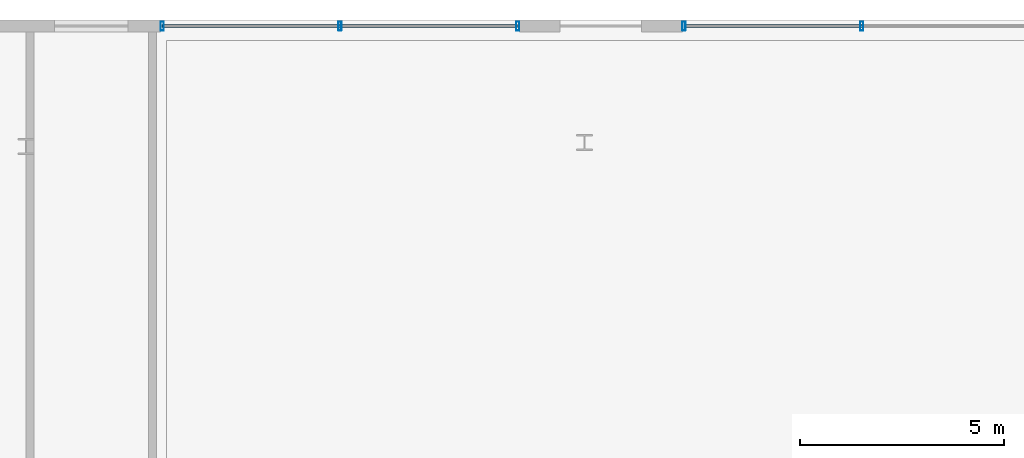
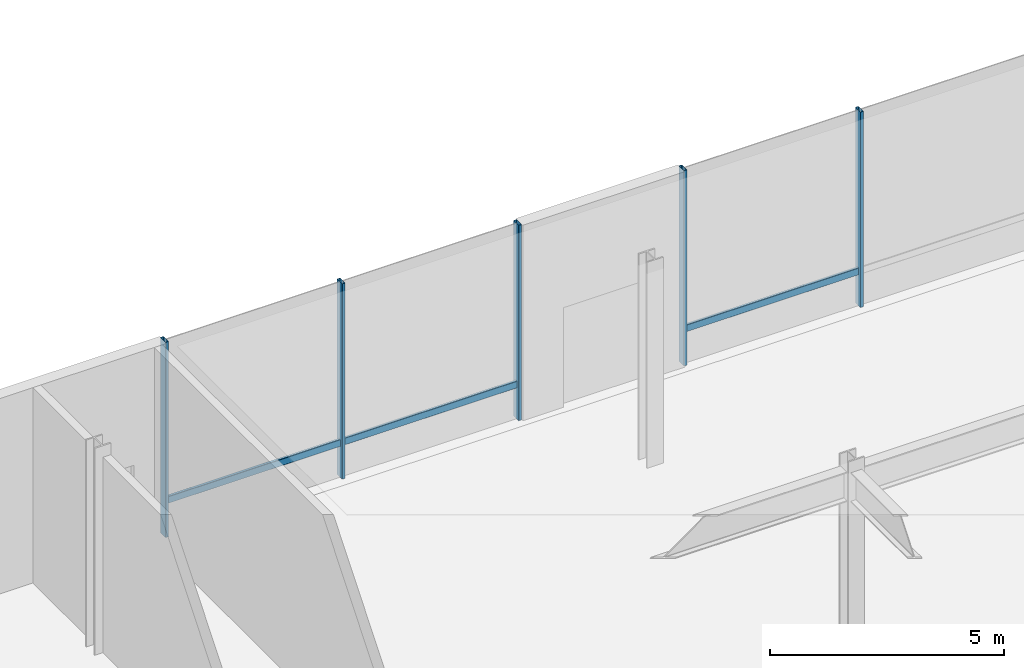
# One storey, part 17 of 46: 8 members, 2 elements without a shape of their own.
"""IFC4 building model written with IfcOpenShell, lengths in metres."""

from ifc_helpers import new_model, si_unit, direction, frame, origin, origin_2d, place, context, subcontext, project, spatial, hollow_rectangle, extrude, material, layer, layer_set, material_profile, profile_set, type_object, element, aggregate, save


model = new_model("IFC4")

# Units and contexts
model_context = context("Model", 3, precision=1e-05, world=origin(), true_north=direction((0.0, 1.0)))
body_context = subcontext(model_context, "Body", "Model", "MODEL_VIEW")
ifc_project = project(units=[si_unit("LENGTHUNIT", "METRE"), si_unit("AREAUNIT", "SQUARE_METRE"), si_unit("VOLUMEUNIT", "CUBIC_METRE"), si_unit("PLANEANGLEUNIT", "RADIAN"), si_unit("MASSUNIT", "GRAM", prefix="KILO")], contexts=[model_context])

# Site, building, storey
site_placement = place(None, origin())
site = spatial("IfcSite", under=ifc_project, at=site_placement, CompositionType="ELEMENT")
building_placement = place(site_placement, origin())
building = spatial("IfcBuilding", under=site, at=building_placement, Name="Korimba Cascade Residences", CompositionType="ELEMENT")
storey_placement = place(building_placement, origin())
storey = spatial("IfcBuildingStorey", under=building, at=storey_placement, Name="L00", CompositionType="ELEMENT", Elevation=0.0)

# Curtain wall, members
ifc_material_1 = material(Name="Anodised Aluminium Curtain Wall Framing", Category="aluminium")
ifc_layer = layer(ifc_material_1, 0.179931640625)
ifc_layer_set = layer_set([ifc_layer], Name="Anodised Aluminium Curtain Wall Framing")
curtain_wall_type = type_object("IfcCurtainWallType", Name="CW-POD-SYS1", PredefinedType="NOTDEFINED", material=ifc_layer_set)
curtain_wall_1_placement = place(storey_placement, origin())
curtain_wall_1 = element("IfcCurtainWall", 1, at=curtain_wall_1_placement, inside=storey, type_object=curtain_wall_type, Name="L00 Curtain Wall CW-L00-POD-N1", PredefinedType="NOTDEFINED")
ifc_material_2 = material(Name="Anodised Aluminium Mullion", Category="aluminium")
ifc_material_profile_1 = material_profile(ifc_material_2, hollow_rectangle(XDim=0.080078125, YDim=0.219970703125, WallThickness=0.00634765625, InnerFilletRadius=0.00634765625, OuterFilletRadius=0.0126953125, at=origin_2d()), Name="Anodised Aluminium Mullion")
ifc_profile_set_1 = profile_set([ifc_material_profile_1], Name="Anodised Aluminium Mullion")
member_type_1 = type_object("IfcMemberType", Name="CWM-MUL-220", PredefinedType="MULLION", material=ifc_profile_set_1)
member_1_placement = place(storey_placement, frame((100.5, 109.050048828125, 0.0), z_axis=(0.0, 0.0, 1.0), x_axis=(-1.0, 0.0, 0.0)))
member_1 = element("IfcMember", 2, at=member_1_placement, type_object=member_type_1, Name="CW-L00-POD-N1 Mullion 2", PredefinedType="MULLION", context=body_context, shape_type="SweptSolid", body=[
    extrude(hollow_rectangle(XDim=0.080078125, YDim=0.219970703125, WallThickness=0.00634765625, InnerFilletRadius=0.00634765625, OuterFilletRadius=0.0126953125, at=origin_2d()), origin(), (0.0, 0.0, 1.0), 5.10009765625),
])
member_2_placement = place(storey_placement, frame((96.139892578125, 109.050048828125, 0.0), z_axis=(0.0, 0.0, 1.0), x_axis=(-1.0, 0.0, 0.0)))
member_2 = element("IfcMember", 3, at=member_2_placement, type_object=member_type_1, Name="CW-L00-POD-N1 Mullion 3", PredefinedType="MULLION", context=body_context, shape_type="SweptSolid", body=[
    extrude(hollow_rectangle(XDim=0.080078125, YDim=0.219970703125, WallThickness=0.00634765625, InnerFilletRadius=0.00634765625, OuterFilletRadius=0.0126953125, at=origin_2d()), origin(), (0.0, 0.0, 1.0), 5.10009765625),
])

curtain_wall_2_placement = place(storey_placement, origin())
curtain_wall_2 = element("IfcCurtainWall", 4, at=curtain_wall_2_placement, inside=storey, type_object=curtain_wall_type, Name="L00 Curtain Wall CW-L00-POD-N2", PredefinedType="NOTDEFINED")
member_3_placement = place(storey_placement, frame((92.06005859375, 109.050048828125, 0.0), z_axis=(0.0, 0.0, 1.0), x_axis=(-1.0, 0.0, 0.0)))
member_3 = element("IfcMember", 5, at=member_3_placement, type_object=member_type_1, Name="CW-L00-POD-N2 Mullion 1", PredefinedType="MULLION", context=body_context, shape_type="SweptSolid", body=[
    extrude(hollow_rectangle(XDim=0.080078125, YDim=0.219970703125, WallThickness=0.00634765625, InnerFilletRadius=0.00634765625, OuterFilletRadius=0.0126953125, at=origin_2d()), origin(), (0.0, 0.0, 1.0), 5.10009765625),
])
member_4_placement = place(storey_placement, frame((87.699951171875, 109.050048828125, 0.0), z_axis=(0.0, 0.0, 1.0), x_axis=(-1.0, 0.0, 0.0)))
member_4 = element("IfcMember", 6, at=member_4_placement, type_object=member_type_1, Name="CW-L00-POD-N2 Mullion 2", PredefinedType="MULLION", context=body_context, shape_type="SweptSolid", body=[
    extrude(hollow_rectangle(XDim=0.080078125, YDim=0.219970703125, WallThickness=0.00634765625, InnerFilletRadius=0.00634765625, OuterFilletRadius=0.0126953125, at=origin_2d()), origin(), (0.0, 0.0, 1.0), 5.10009765625),
])
member_5_placement = place(storey_placement, frame((83.340087890625, 109.050048828125, 0.0), z_axis=(0.0, 0.0, 1.0), x_axis=(-1.0, 0.0, 0.0)))
member_5 = element("IfcMember", 7, at=member_5_placement, type_object=member_type_1, Name="CW-L00-POD-N2 Mullion 3", PredefinedType="MULLION", context=body_context, shape_type="SweptSolid", body=[
    extrude(hollow_rectangle(XDim=0.080078125, YDim=0.219970703125, WallThickness=0.00634765625, InnerFilletRadius=0.00634765625, OuterFilletRadius=0.0126953125, at=origin_2d()), origin(), (0.0, 0.0, 1.0), 5.10009765625),
])

# Member
ifc_material_3 = material(Name="Anodised Aluminium Transom", Category="aluminium")
ifc_material_profile_2 = material_profile(ifc_material_3, hollow_rectangle(XDim=0.070068359375, YDim=0.179931640625, WallThickness=0.0048828125, InnerFilletRadius=0.0048828125, OuterFilletRadius=0.010009765625, at=origin_2d()), Name="Anodised Aluminium Transom")
ifc_profile_set_2 = profile_set([ifc_material_profile_2], Name="Anodised Aluminium Transom")
member_type_2 = type_object("IfcMemberType", Name="CWM-TRN-150", PredefinedType="USERDEFINED", material=ifc_profile_set_2)
member_6_placement = place(storey_placement, frame((100.5, 109.050048828125, 0.89990234375), z_axis=(-1.0, 0.0, 0.0), x_axis=(0.0, -1.0, 0.0)))
member_6 = element("IfcMember", 8, at=member_6_placement, type_object=member_type_2, Name="CW-L00-POD-N1 Transom 2", ObjectType="TRANSOM", PredefinedType="USERDEFINED", context=body_context, shape_type="SweptSolid", body=[
    extrude(hollow_rectangle(XDim=0.070068359375, YDim=0.179931640625, WallThickness=0.0048828125, InnerFilletRadius=0.0048828125, OuterFilletRadius=0.010009765625, at=origin_2d()), origin(), (0.0, 0.0, 1.0), 4.360107421875),
])

aggregate(curtain_wall_1, [member_1, member_2, member_6])

member_7_placement = place(storey_placement, frame((92.06005859375, 109.050048828125, 0.89990234375), z_axis=(-1.0, 0.0, 0.0), x_axis=(0.0, -1.0, 0.0)))
member_7 = element("IfcMember", 9, at=member_7_placement, type_object=member_type_2, Name="CW-L00-POD-N2 Transom 1", ObjectType="TRANSOM", PredefinedType="USERDEFINED", context=body_context, shape_type="SweptSolid", body=[
    extrude(hollow_rectangle(XDim=0.070068359375, YDim=0.179931640625, WallThickness=0.0048828125, InnerFilletRadius=0.0048828125, OuterFilletRadius=0.010009765625, at=origin_2d()), origin(), (0.0, 0.0, 1.0), 4.360107421875),
])

member_8_placement = place(storey_placement, frame((87.699951171875, 109.050048828125, 0.89990234375), z_axis=(-1.0, 0.0, 0.0), x_axis=(0.0, -1.0, 0.0)))
member_8 = element("IfcMember", 10, at=member_8_placement, type_object=member_type_2, Name="CW-L00-POD-N2 Transom 2", ObjectType="TRANSOM", PredefinedType="USERDEFINED", context=body_context, shape_type="SweptSolid", body=[
    extrude(hollow_rectangle(XDim=0.070068359375, YDim=0.179931640625, WallThickness=0.0048828125, InnerFilletRadius=0.0048828125, OuterFilletRadius=0.010009765625, at=origin_2d()), origin(), (0.0, 0.0, 1.0), 4.35986328125),
])

aggregate(curtain_wall_2, [member_3, member_4, member_5, member_7, member_8])

save(model, "model.ifc")
